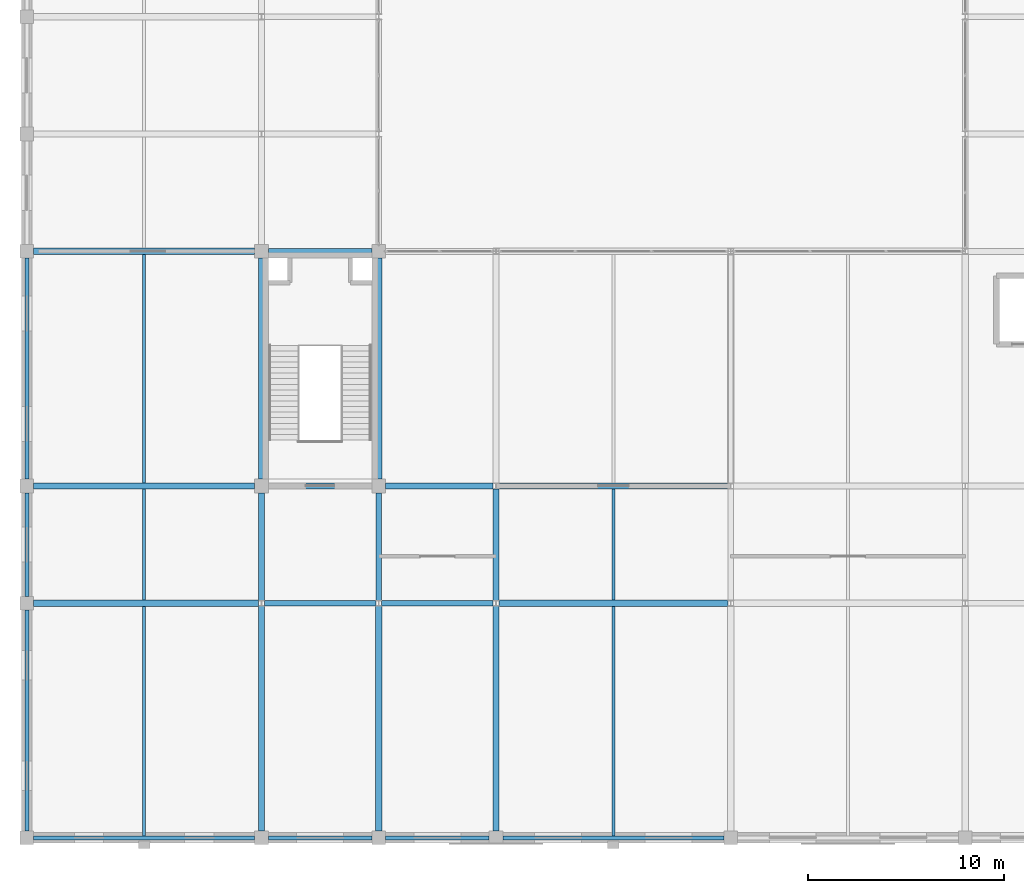
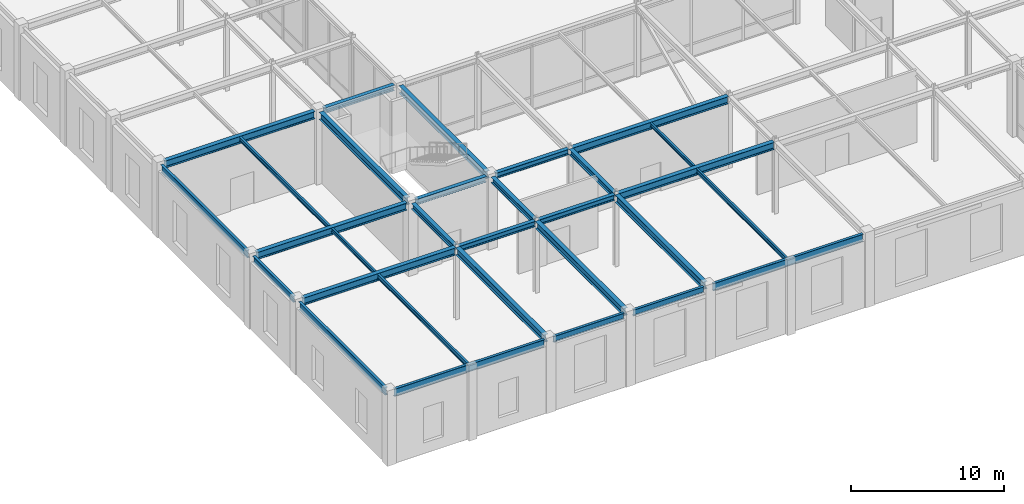
# One storey, part 28 of 108: 30 beams.
"""IFC4 building model written with IfcOpenShell, lengths in metres."""

from ifc_helpers import new_model, si_unit, direction, frame, origin, origin_2d, place, context, subcontext, project, spatial, i_section, extrude, material, material_profile, profile_set, type_object, element, save


model = new_model("IFC4")

# Units and contexts
model_context = context("Model", 3, precision=1e-05, world=origin(), true_north=direction((0.0, 1.0)))
body_context = subcontext(model_context, "Body", "Model", "MODEL_VIEW")
ifc_project = project(units=[si_unit("LENGTHUNIT", "METRE"), si_unit("AREAUNIT", "SQUARE_METRE"), si_unit("VOLUMEUNIT", "CUBIC_METRE"), si_unit("PLANEANGLEUNIT", "RADIAN"), si_unit("MASSUNIT", "GRAM", prefix="KILO")], contexts=[model_context])

# Site, building, storey
site_placement = place(None, origin())
site = spatial("IfcSite", under=ifc_project, at=site_placement, CompositionType="ELEMENT")
building_placement = place(site_placement, origin())
building = spatial("IfcBuilding", under=site, at=building_placement, Name="Zlatovratsky Civic Hall", CompositionType="ELEMENT")
storey_placement = place(building_placement, frame((0.0, 0.0, 6.0)))
storey = spatial("IfcBuildingStorey", under=building, at=storey_placement, Name="L02", CompositionType="ELEMENT", Elevation=6.0)

# Beams
ifc_material = material(Name="Steel S355", Category="steel")
ifc_material_profile_1 = material_profile(ifc_material, i_section(OverallWidth=0.320068359375, OverallDepth=0.58203125, WebThickness=0.011962890625, FlangeThickness=0.01708984375, FilletRadius=0.02392578125, at=origin_2d()), Name="60Sh1")
ifc_profile_set_1 = profile_set([ifc_material_profile_1], Name="Steel S355")
beam_type_1 = type_object("IfcBeamType", Name="Beam_PodiumGirder_60Sh1", PredefinedType="BEAM", material=ifc_profile_set_1)
beam_1_placement = place(storey_placement, frame((0.35009765625, 12.0, 5.468994140625), z_axis=(1.0, 0.0, 0.0), x_axis=(0.0, 1.0, 0.0)))
element("IfcBeam", 1, at=beam_1_placement, inside=storey, type_object=beam_type_1, Name="BM-1739", PredefinedType="BEAM", context=body_context, shape_type="SweptSolid", body=[
    extrude(i_section(OverallWidth=0.320068359375, OverallDepth=0.58203125, WebThickness=0.011962890625, FlangeThickness=0.01708984375, FilletRadius=0.02392578125, at=origin_2d()), origin(), (0.0, 0.0, 1.0), 11.5),
])
beam_2_placement = place(storey_placement, frame((24.14990234375, 12.0, 5.468994140625), z_axis=(1.0, 0.0, 0.0), x_axis=(0.0, 1.0, 0.0)))
element("IfcBeam", 2, at=beam_2_placement, inside=storey, type_object=beam_type_1, Name="BM-1742", PredefinedType="BEAM", context=body_context, shape_type="SweptSolid", body=[
    extrude(i_section(OverallWidth=0.320068359375, OverallDepth=0.58203125, WebThickness=0.011962890625, FlangeThickness=0.01708984375, FilletRadius=0.02392578125, at=origin_2d()), origin(), (0.0, 0.0, 1.0), 11.7001953125),
])
beam_3_placement = place(storey_placement, frame((0.35009765625, 18.0, 5.468994140625), z_axis=(1.0, 0.0, 0.0), x_axis=(0.0, 1.0, 0.0)))
element("IfcBeam", 3, at=beam_3_placement, inside=storey, type_object=beam_type_1, Name="BM-1761", PredefinedType="BEAM", context=body_context, shape_type="SweptSolid", body=[
    extrude(i_section(OverallWidth=0.320068359375, OverallDepth=0.58203125, WebThickness=0.011962890625, FlangeThickness=0.01708984375, FilletRadius=0.02392578125, at=origin_2d()), origin(), (0.0, 0.0, 1.0), 11.2998046875),
])
beam_4_placement = place(storey_placement, frame((24.14990234375, 18.0, 5.468994140625), z_axis=(1.0, 0.0, 0.0), x_axis=(0.0, 1.0, 0.0)))
element("IfcBeam", 4, at=beam_4_placement, inside=storey, type_object=beam_type_1, Name="BM-1764", PredefinedType="BEAM", context=body_context, shape_type="SweptSolid", body=[
    extrude(i_section(OverallWidth=0.320068359375, OverallDepth=0.58203125, WebThickness=0.011962890625, FlangeThickness=0.01708984375, FilletRadius=0.02392578125, at=origin_2d()), origin(), (0.0, 0.0, 1.0), 11.7001953125),
])
beam_5_placement = place(storey_placement, frame((0.35009765625, 30.0, 5.468994140625), z_axis=(1.0, 0.0, 0.0), x_axis=(0.0, 1.0, 0.0)))
element("IfcBeam", 5, at=beam_5_placement, inside=storey, type_object=beam_type_1, Name="BM-1783", PredefinedType="BEAM", context=body_context, shape_type="SweptSolid", body=[
    extrude(i_section(OverallWidth=0.320068359375, OverallDepth=0.58203125, WebThickness=0.011962890625, FlangeThickness=0.01708984375, FilletRadius=0.02392578125, at=origin_2d()), origin(), (0.0, 0.0, 1.0), 11.2998046875),
])
beam_6_placement = place(storey_placement, frame((12.0, 0.35009765625, 5.468994140625), z_axis=(0.0, 1.0, 0.0), x_axis=(-1.0, 0.0, 0.0)))
element("IfcBeam", 6, at=beam_6_placement, inside=storey, type_object=beam_type_1, Name="BM-2074", PredefinedType="BEAM", context=body_context, shape_type="SweptSolid", body=[
    extrude(i_section(OverallWidth=0.320068359375, OverallDepth=0.58203125, WebThickness=0.011962890625, FlangeThickness=0.01708984375, FilletRadius=0.02392578125, at=origin_2d()), origin(), (0.0, 0.0, 1.0), 11.5),
])
beam_7_placement = place(storey_placement, frame((12.0, 18.35009765625, 5.468994140625), z_axis=(0.0, 1.0, 0.0), x_axis=(-1.0, 0.0, 0.0)))
element("IfcBeam", 7, at=beam_7_placement, inside=storey, type_object=beam_type_1, Name="BM-2076", PredefinedType="BEAM", context=body_context, shape_type="SweptSolid", body=[
    extrude(i_section(OverallWidth=0.320068359375, OverallDepth=0.58203125, WebThickness=0.011962890625, FlangeThickness=0.01708984375, FilletRadius=0.02392578125, at=origin_2d()), origin(), (0.0, 0.0, 1.0), 11.2998046875),
])
beam_8_placement = place(storey_placement, frame((18.0, 0.35009765625, 5.468994140625), z_axis=(0.0, 1.0, 0.0), x_axis=(-1.0, 0.0, 0.0)))
element("IfcBeam", 8, at=beam_8_placement, inside=storey, type_object=beam_type_1, Name="BM-2091", PredefinedType="BEAM", context=body_context, shape_type="SweptSolid", body=[
    extrude(i_section(OverallWidth=0.320068359375, OverallDepth=0.58203125, WebThickness=0.011962890625, FlangeThickness=0.01708984375, FilletRadius=0.02392578125, at=origin_2d()), origin(), (0.0, 0.0, 1.0), 11.5),
])
beam_9_placement = place(storey_placement, frame((18.0, 18.35009765625, 5.468994140625), z_axis=(0.0, 1.0, 0.0), x_axis=(-1.0, 0.0, 0.0)))
element("IfcBeam", 9, at=beam_9_placement, inside=storey, type_object=beam_type_1, Name="BM-2093", PredefinedType="BEAM", context=body_context, shape_type="SweptSolid", body=[
    extrude(i_section(OverallWidth=0.320068359375, OverallDepth=0.58203125, WebThickness=0.011962890625, FlangeThickness=0.01708984375, FilletRadius=0.02392578125, at=origin_2d()), origin(), (0.0, 0.0, 1.0), 11.2998046875),
])
beam_10_placement = place(storey_placement, frame((24.0, 0.35009765625, 5.468994140625), z_axis=(0.0, 1.0, 0.0), x_axis=(-1.0, 0.0, 0.0)))
element("IfcBeam", 10, at=beam_10_placement, inside=storey, type_object=beam_type_1, Name="BM-2108", PredefinedType="BEAM", context=body_context, shape_type="SweptSolid", body=[
    extrude(i_section(OverallWidth=0.320068359375, OverallDepth=0.58203125, WebThickness=0.011962890625, FlangeThickness=0.01708984375, FilletRadius=0.02392578125, at=origin_2d()), origin(), (0.0, 0.0, 1.0), 11.5),
])
ifc_material_profile_2 = material_profile(ifc_material, i_section(OverallWidth=0.198974609375, OverallDepth=0.491943359375, WebThickness=0.0087890625, FlangeThickness=0.011962890625, FilletRadius=0.01611328125, at=origin_2d()), Name="50B1")
ifc_profile_set_2 = profile_set([ifc_material_profile_2], Name="Steel S355")
beam_type_2 = type_object("IfcBeamType", Name="Beam_Spandrel_50B1", PredefinedType="SPANDREL", material=ifc_profile_set_2)
for number, where, z_axis, x_axis, name in (
    (11, (12.35009765625, 0.0, 5.513916015625), (1.0, 0.0, 0.0), (0.0, 1.0, 0.0), "BM-1728"),
    (12, (18.35009765625, 0.0, 5.513916015625), (1.0, 0.0, 0.0), (0.0, 1.0, 0.0), "BM-1729"),
    (13, (0.0, 12.35009765625, 5.513916015625), (0.0, 1.0, 0.0), (-1.0, 0.0, 0.0), "BM-2058"),
):
    element("IfcBeam", number, at=place(storey_placement, frame(where, z_axis=z_axis, x_axis=x_axis)), inside=storey, type_object=beam_type_2, Name=name, PredefinedType="SPANDREL", context=body_context, shape_type="SweptSolid", body=[
        extrude(i_section(OverallWidth=0.198974609375, OverallDepth=0.491943359375, WebThickness=0.0087890625, FlangeThickness=0.011962890625, FilletRadius=0.01611328125, at=origin_2d()), origin(), (0.0, 0.0, 1.0), 5.2998046875),
    ])
ifc_material_profile_3 = material_profile(ifc_material, i_section(OverallWidth=0.198974609375, OverallDepth=0.593017578125, WebThickness=0.010498046875, FlangeThickness=0.014892578125, FilletRadius=0.01806640625, at=origin_2d()), Name="60B1")
ifc_profile_set_3 = profile_set([ifc_material_profile_3], Name="Steel S355")
beam_type_3 = type_object("IfcBeamType", Name="Beam_Spandrel_60B1", PredefinedType="SPANDREL", material=ifc_profile_set_3)
for number, where, z_axis, x_axis, name in (
    (14, (0.35009765625, 0.0, 5.46337890625), (1.0, 0.0, 0.0), (0.0, 1.0, 0.0), "BM-1727"),
    (15, (24.35009765625, 0.0, 5.46337890625), (1.0, 0.0, 0.0), (0.0, 1.0, 0.0), "BM-1730"),
    (16, (0.0, 0.35009765625, 5.46337890625), (0.0, 1.0, 0.0), (-1.0, 0.0, 0.0), "BM-2057"),
    (17, (0.0, 18.35009765625, 5.46337890625), (0.0, 1.0, 0.0), (-1.0, 0.0, 0.0), "BM-2059"),
):
    element("IfcBeam", number, at=place(storey_placement, frame(where, z_axis=z_axis, x_axis=x_axis)), inside=storey, type_object=beam_type_3, Name=name, PredefinedType="SPANDREL", context=body_context, shape_type="SweptSolid", body=[
        extrude(i_section(OverallWidth=0.198974609375, OverallDepth=0.593017578125, WebThickness=0.010498046875, FlangeThickness=0.014892578125, FilletRadius=0.01806640625, at=origin_2d()), origin(), (0.0, 0.0, 1.0), 11.2998046875),
    ])
ifc_material_profile_4 = material_profile(ifc_material, i_section(OverallWidth=0.300048828125, OverallDepth=0.43994140625, WebThickness=0.010986328125, FlangeThickness=0.01806640625, FilletRadius=0.02197265625, at=origin_2d()), Name="45Sh1")
ifc_profile_set_4 = profile_set([ifc_material_profile_4], Name="Steel S355")
beam_type_4 = type_object("IfcBeamType", Name="Beam_TowerLow_45Sh1", PredefinedType="BEAM", material=ifc_profile_set_4)
for number, where, z_axis, x_axis, name in (
    (18, (12.14990234375, 12.0, 5.5400390625), (1.0, 0.0, 0.0), (0.0, 1.0, 0.0), "BM-1740"),
    (19, (18.14990234375, 12.0, 5.5400390625), (1.0, 0.0, 0.0), (0.0, 1.0, 0.0), "BM-1741"),
):
    element("IfcBeam", number, at=place(storey_placement, frame(where, z_axis=z_axis, x_axis=x_axis)), inside=storey, type_object=beam_type_4, Name=name, PredefinedType="BEAM", context=body_context, shape_type="SweptSolid", body=[
        extrude(i_section(OverallWidth=0.300048828125, OverallDepth=0.43994140625, WebThickness=0.010986328125, FlangeThickness=0.01806640625, FilletRadius=0.02197265625, at=origin_2d()), origin(), (0.0, 0.0, 1.0), 5.7001953125),
    ])
beam_11_placement = place(storey_placement, frame((12.35009765625, 18.0, 5.5400390625), z_axis=(1.0, 0.0, 0.0), x_axis=(0.0, 1.0, 0.0)))
element("IfcBeam", 20, at=beam_11_placement, inside=storey, type_object=beam_type_4, Name="BM-1762", PredefinedType="BEAM", context=body_context, shape_type="SweptSolid", body=[
    extrude(i_section(OverallWidth=0.300048828125, OverallDepth=0.43994140625, WebThickness=0.010986328125, FlangeThickness=0.01806640625, FilletRadius=0.02197265625, at=origin_2d()), origin(), (0.0, 0.0, 1.0), 5.2998046875),
])
beam_12_placement = place(storey_placement, frame((18.35009765625, 18.0, 5.5400390625), z_axis=(1.0, 0.0, 0.0), x_axis=(0.0, 1.0, 0.0)))
element("IfcBeam", 21, at=beam_12_placement, inside=storey, type_object=beam_type_4, Name="BM-1763", PredefinedType="BEAM", context=body_context, shape_type="SweptSolid", body=[
    extrude(i_section(OverallWidth=0.300048828125, OverallDepth=0.43994140625, WebThickness=0.010986328125, FlangeThickness=0.01806640625, FilletRadius=0.02197265625, at=origin_2d()), origin(), (0.0, 0.0, 1.0), 5.5),
])
beam_13_placement = place(storey_placement, frame((12.35009765625, 30.0, 5.5400390625), z_axis=(1.0, 0.0, 0.0), x_axis=(0.0, 1.0, 0.0)))
element("IfcBeam", 22, at=beam_13_placement, inside=storey, type_object=beam_type_4, Name="BM-1784", PredefinedType="BEAM", context=body_context, shape_type="SweptSolid", body=[
    extrude(i_section(OverallWidth=0.300048828125, OverallDepth=0.43994140625, WebThickness=0.010986328125, FlangeThickness=0.01806640625, FilletRadius=0.02197265625, at=origin_2d()), origin(), (0.0, 0.0, 1.0), 5.2998046875),
])
for number, where, z_axis, x_axis, name in (
    (23, (12.0, 12.14990234375, 5.5400390625), (0.0, 1.0, 0.0), (-1.0, 0.0, 0.0), "BM-2075"),
    (24, (18.0, 12.14990234375, 5.5400390625), (0.0, 1.0, 0.0), (-1.0, 0.0, 0.0), "BM-2092"),
):
    element("IfcBeam", number, at=place(storey_placement, frame(where, z_axis=z_axis, x_axis=x_axis)), inside=storey, type_object=beam_type_4, Name=name, PredefinedType="BEAM", context=body_context, shape_type="SweptSolid", body=[
        extrude(i_section(OverallWidth=0.300048828125, OverallDepth=0.43994140625, WebThickness=0.010986328125, FlangeThickness=0.01806640625, FilletRadius=0.02197265625, at=origin_2d()), origin(), (0.0, 0.0, 1.0), 5.5),
    ])
beam_14_placement = place(storey_placement, frame((24.0, 12.14990234375, 5.5400390625), z_axis=(0.0, 1.0, 0.0), x_axis=(-1.0, 0.0, 0.0)))
element("IfcBeam", 25, at=beam_14_placement, inside=storey, type_object=beam_type_4, Name="BM-2109", PredefinedType="BEAM", context=body_context, shape_type="SweptSolid", body=[
    extrude(i_section(OverallWidth=0.300048828125, OverallDepth=0.43994140625, WebThickness=0.010986328125, FlangeThickness=0.01806640625, FilletRadius=0.02197265625, at=origin_2d()), origin(), (0.0, 0.0, 1.0), 5.7001953125),
])
ifc_material_profile_5 = material_profile(ifc_material, i_section(OverallWidth=0.14990234375, OverallDepth=0.300048828125, WebThickness=0.006591796875, FlangeThickness=0.009033203125, FilletRadius=0.012939453125, at=origin_2d()), Name="30B2")
ifc_profile_set_5 = profile_set([ifc_material_profile_5], Name="Steel S355")
beam_type_5 = type_object("IfcBeamType", Name="Joist_Podium_30B2", PredefinedType="JOIST", material=ifc_profile_set_5)
for number, where, z_axis, x_axis, name in (
    (26, (6.0, 12.159912109375, 5.610107421875), (0.0, 1.0, 0.0), (-1.0, 0.0, 0.0), "BM-2395"),
    (27, (30.0, 12.159912109375, 5.610107421875), (0.0, 1.0, 0.0), (-1.0, 0.0, 0.0), "BM-2396"),
):
    element("IfcBeam", number, at=place(storey_placement, frame(where, z_axis=z_axis, x_axis=x_axis)), inside=storey, type_object=beam_type_5, Name=name, PredefinedType="JOIST", context=body_context, shape_type="SweptSolid", body=[
        extrude(i_section(OverallWidth=0.14990234375, OverallDepth=0.300048828125, WebThickness=0.006591796875, FlangeThickness=0.009033203125, FilletRadius=0.012939453125, at=origin_2d()), origin(), (0.0, 0.0, 1.0), 5.68017578125),
    ])
ifc_material_profile_6 = material_profile(ifc_material, i_section(OverallWidth=0.155029296875, OverallDepth=0.345947265625, WebThickness=0.006103515625, FlangeThickness=0.008544921875, FilletRadius=0.013916015625, at=origin_2d()), Name="35B1")
ifc_profile_set_6 = profile_set([ifc_material_profile_6], Name="Steel S355")
beam_type_6 = type_object("IfcBeamType", Name="Joist_Podium_35B1", PredefinedType="JOIST", material=ifc_profile_set_6)
for number, where, z_axis, x_axis, name in (
    (28, (6.0, 0.099609375, 5.5869140625), (0.0, 1.0, 0.0), (-1.0, 0.0, 0.0), "BM-2389"),
    (29, (30.0, 0.099609375, 5.5869140625), (0.0, 1.0, 0.0), (-1.0, 0.0, 0.0), "BM-2390"),
):
    element("IfcBeam", number, at=place(storey_placement, frame(where, z_axis=z_axis, x_axis=x_axis)), inside=storey, type_object=beam_type_6, Name=name, PredefinedType="JOIST", context=body_context, shape_type="SweptSolid", body=[
        extrude(i_section(OverallWidth=0.155029296875, OverallDepth=0.345947265625, WebThickness=0.006103515625, FlangeThickness=0.008544921875, FilletRadius=0.013916015625, at=origin_2d()), origin(), (0.0, 0.0, 1.0), 11.740478515625),
    ])
beam_15_placement = place(storey_placement, frame((6.0, 18.159912109375, 5.5869140625), z_axis=(0.0, 1.0, 0.0), x_axis=(-1.0, 0.0, 0.0)))
element("IfcBeam", 30, at=beam_15_placement, inside=storey, type_object=beam_type_6, Name="BM-2401", PredefinedType="JOIST", context=body_context, shape_type="SweptSolid", body=[
    extrude(i_section(OverallWidth=0.155029296875, OverallDepth=0.345947265625, WebThickness=0.006103515625, FlangeThickness=0.008544921875, FilletRadius=0.013916015625, at=origin_2d()), origin(), (0.0, 0.0, 1.0), 11.68017578125),
])

save(model, "model.ifc")
